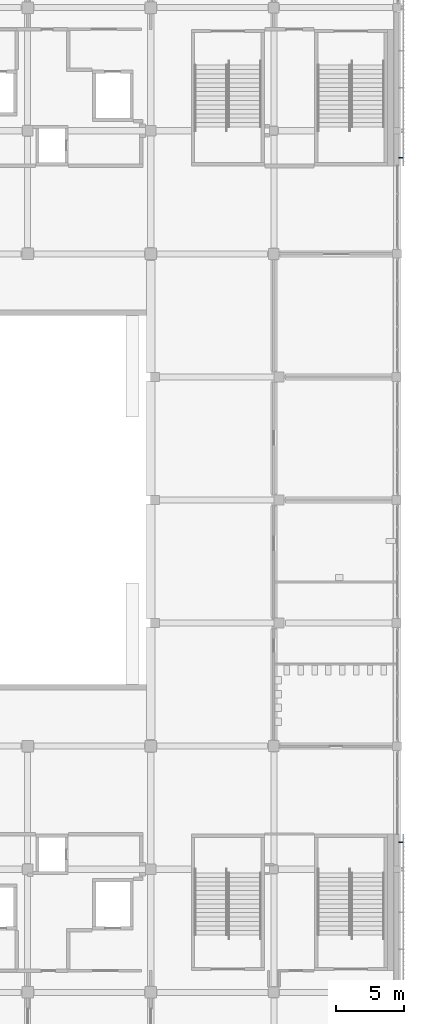
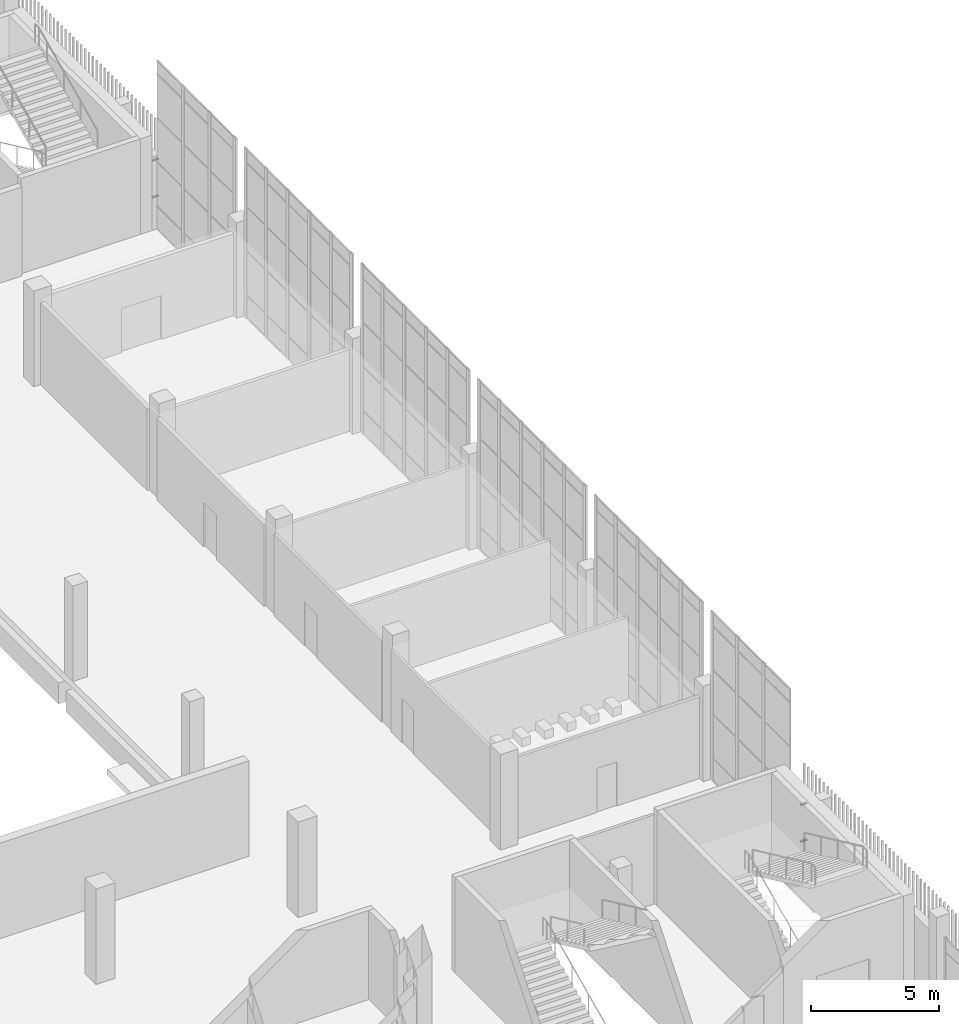
# One storey, part 105 of 126: 4 discrete accessories.
"""IFC4 building model written with IfcOpenShell, lengths in metres."""

from ifc_helpers import new_model, si_unit, direction, frame, origin, origin_2d, place, context, subcontext, project, spatial, rectangle, extrude, material, type_object, element, save


model = new_model("IFC4")

# Units and contexts
model_context = context("Model", 3, precision=1e-05, world=origin(), true_north=direction((0.0, 1.0)))
body_context = subcontext(model_context, "Body", "Model", "MODEL_VIEW")
ifc_project = project(units=[si_unit("LENGTHUNIT", "METRE"), si_unit("AREAUNIT", "SQUARE_METRE"), si_unit("VOLUMEUNIT", "CUBIC_METRE"), si_unit("PLANEANGLEUNIT", "RADIAN"), si_unit("MASSUNIT", "GRAM", prefix="KILO")], contexts=[model_context])

# Site, building, storey
site_placement = place(None, origin())
site = spatial("IfcSite", under=ifc_project, at=site_placement, CompositionType="ELEMENT")
building_placement = place(site_placement, origin())
building = spatial("IfcBuilding", under=site, at=building_placement, Name="Shirokan Park Arena", CompositionType="ELEMENT")
storey_placement = place(building_placement, frame((0.0, 0.0, 6.3701171875)))
storey = spatial("IfcBuildingStorey", under=building, at=storey_placement, Name="L01", CompositionType="ELEMENT", Elevation=6.3701171875)

# Discrete accessories
ifc_material = material(Name="Steel S355", Category="steel")
discrete_accessory_type = type_object("IfcDiscreteAccessoryType", Name="Veil bracket 100x60", PredefinedType="BRACKET", material=ifc_material)
for number, where, z_axis, x_axis, name in (
    (1, (145.8974609375, 29.300048828125, 1.06982421875), (0.0, 0.0, 1.0), (0.0, 1.0, 0.0), "Veil bracket east bay 4 L01 2"),
    (2, (145.8974609375, 29.300048828125, 2.81982421875), (0.0, 0.0, 1.0), (0.0, 1.0, 0.0), "Veil bracket east bay 4 L01 4"),
    (3, (145.8974609375, 79.89990234375, 1.06982421875), (0.0, 0.0, 1.0), (0.0, 1.0, 0.0), "Veil bracket east bay 9 L01 1"),
    (4, (145.8974609375, 79.89990234375, 2.81982421875), (0.0, 0.0, 1.0), (0.0, 1.0, 0.0), "Veil bracket east bay 9 L01 3"),
):
    element("IfcDiscreteAccessory", number, at=place(storey_placement, frame(where, z_axis=z_axis, x_axis=x_axis)), inside=storey, type_object=discrete_accessory_type, Name=name, PredefinedType="BRACKET", context=body_context, shape_type="SweptSolid", body=[
        extrude(rectangle(XDim=0.10009765625, YDim=0.294921875, at=origin_2d()), origin(), (0.0, 0.0, 1.0), 0.06005859375),
    ])

save(model, "model.ifc")
